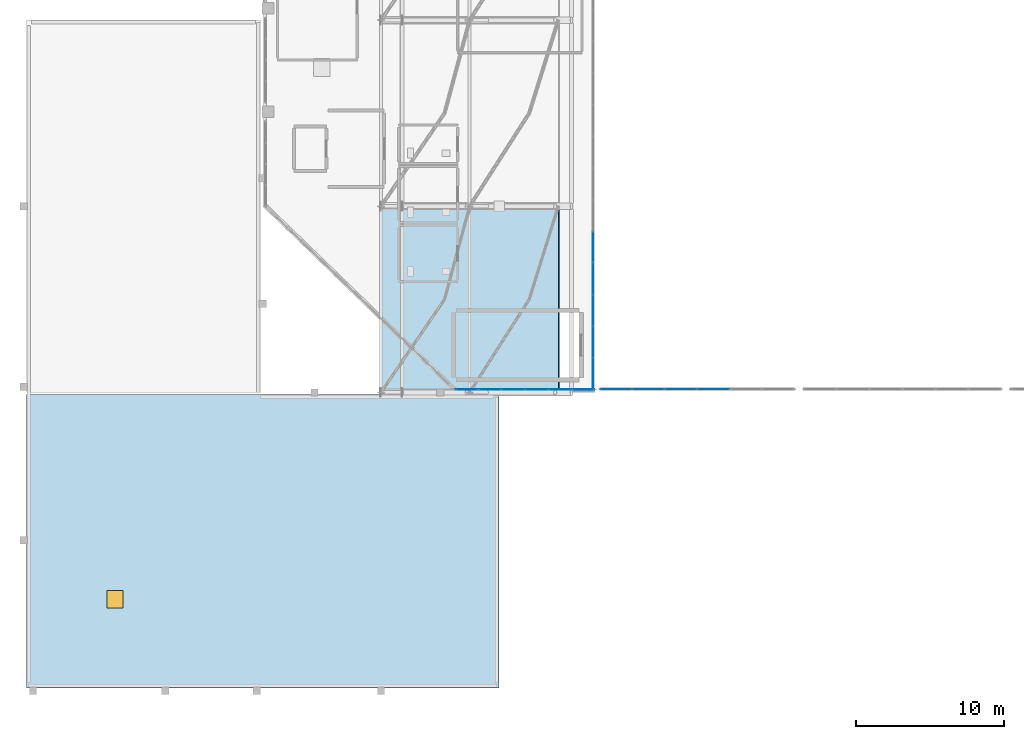
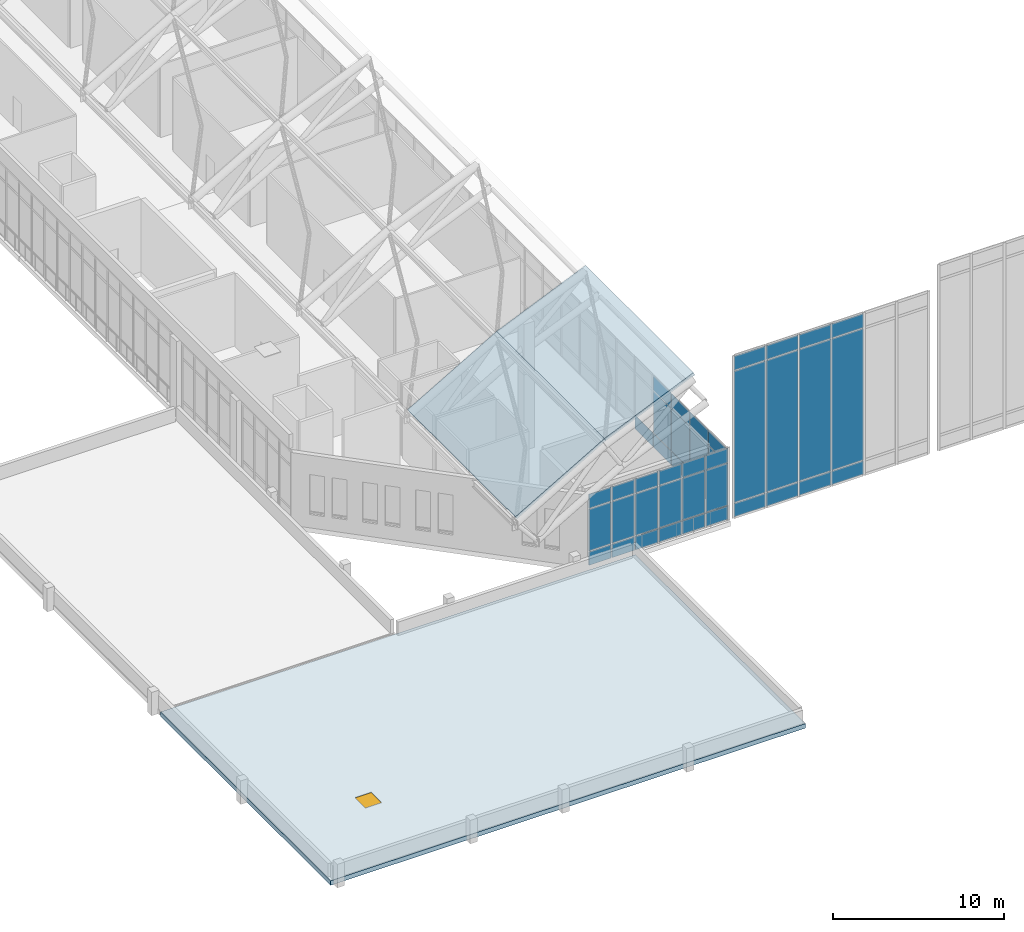
# One storey, part 23 of 42: 43 plates, 3 slabs, 1 door, 1 opening, 3 elements without a shape of their own.
"""IFC4 building model written with IfcOpenShell, lengths in metres."""

import ifcopenshell
import ifcopenshell.guid

model = None  # the IFC model being written
_history = None  # IfcOwnerHistory: only IFC2X3 demands one
_inside = {}  # id of a spatial element -> (the spatial element, [elements in it])
_under = {}  # id of a project, library or spatial element -> (it, [spatial elements below it])
_declared = {}  # id of a project -> (the project, [libraries it declares])
_typed = {}  # id of a type object -> (the type object, [elements of that type])
_made_of = {}  # id of a material, layer set ... -> (it, [elements and type objects made of it])


def new_model(schema):
    """Start an empty IFC model of exactly this schema.

    Asked for "IFC4X3", IfcOpenShell would pick the latest addendum, in which some entities
    have other attributes; the version numbers below select the first issue.
    IFC2X3 requires an IfcOwnerHistory on every rooted entity: one is made here for all.
    """
    global model, _history
    if schema == "IFC4X3":
        model = ifcopenshell.file(schema_version=(4, 3, 0, 0))
    else:
        model = ifcopenshell.file(schema=schema)
    _inside.clear()
    _under.clear()
    _declared.clear()
    _typed.clear()
    _made_of.clear()
    _history = None
    if model.schema == "IFC2X3":
        org = make("IfcOrganization", Name="unknown")
        user = make(
            "IfcPersonAndOrganization",
            ThePerson=make("IfcPerson", FamilyName="unknown"),
            TheOrganization=org,
        )
        app = make(
            "IfcApplication",
            ApplicationDeveloper=org,
            Version="unknown",
            ApplicationFullName="unknown",
            ApplicationIdentifier="unknown",
        )
        _history = make(
            "IfcOwnerHistory",
            OwningUser=user,
            OwningApplication=app,
            ChangeAction="ADDED",
            CreationDate=0,
        )
    return model


def make(cls, **values):
    """One entity of the class cls with the attributes given. An attribute that is None is left unset."""
    return model.create_entity(
        cls, **{name: value for name, value in values.items() if value is not None}
    )


def rooted(cls, **values):
    """An entity with a GlobalId (a new one), such as an element, a storey or a relation."""
    return make(cls, GlobalId=ifcopenshell.guid.new(), OwnerHistory=_history, **values)


def si_unit(unit_type, name, prefix=None):
    """IfcSIUnit, for example si_unit("LENGTHUNIT", "METRE", prefix="MILLI")."""
    return make("IfcSIUnit", UnitType=unit_type, Prefix=prefix, Name=name)


def derived_unit(unit_type, elements):
    """IfcDerivedUnit: a product of units, each with its exponent."""
    return make(
        "IfcDerivedUnit",
        Elements=[
            make("IfcDerivedUnitElement", Unit=unit, Exponent=power)
            for unit, power in elements
        ],
        UnitType=unit_type,
    )


def assignment(units):
    """IfcUnitAssignment: the units of a project."""
    return None if units is None else make("IfcUnitAssignment", Units=units)


def point(xyz):
    """IfcCartesianPoint."""
    return None if xyz is None else make("IfcCartesianPoint", Coordinates=xyz)


def direction(xyz):
    """IfcDirection."""
    return None if xyz is None else make("IfcDirection", DirectionRatios=xyz)


def frame(location, z_axis=None, x_axis=None):
    """IfcAxis2Placement3D, a coordinate frame: its origin and axes. An axis left out is left unset."""
    return make(
        "IfcAxis2Placement3D",
        Location=point(location),
        Axis=direction(z_axis),
        RefDirection=direction(x_axis),
    )


def frame_2d(location, x_axis=None):
    """IfcAxis2Placement2D, a coordinate frame in the plane: its origin and x axis."""
    return make(
        "IfcAxis2Placement2D", Location=point(location), RefDirection=direction(x_axis)
    )


def origin():
    """The frame at (0, 0, 0) with its axes left unset."""
    return frame((0.0, 0.0, 0.0))


def origin_2d():
    """The frame at (0, 0) in the plane with its x axis left unset."""
    return frame_2d((0.0, 0.0))


def place(relative_to, where):
    """IfcLocalPlacement: puts the frame where relative to a parent placement (None: the world)."""
    return make(
        "IfcLocalPlacement", PlacementRelTo=relative_to, RelativePlacement=where
    )


def context(
    kind, dimensions, precision=None, world=None, true_north=None, identifier=None
):
    """IfcGeometricRepresentationContext, for example the 3D "Model" context."""
    return make(
        "IfcGeometricRepresentationContext",
        ContextIdentifier=identifier,
        ContextType=kind,
        CoordinateSpaceDimension=dimensions,
        Precision=precision,
        WorldCoordinateSystem=world,
        TrueNorth=true_north,
    )


def subcontext(parent, identifier, kind, view, scale=None):
    """IfcGeometricRepresentationSubContext, for example "Body" below "Model"."""
    return make(
        "IfcGeometricRepresentationSubContext",
        ContextIdentifier=identifier,
        ContextType=kind,
        ParentContext=parent,
        TargetScale=scale,
        TargetView=view,
    )


def project(units=None, contexts=None):
    """IfcProject with its units and contexts."""
    return rooted(
        "IfcProject",
        Name="project",
        RepresentationContexts=contexts,
        UnitsInContext=assignment(units),
    )


def spatial(cls, under=None, at=None, **own):
    """A site, building, storey or space (cls), placed at a placement, below another one or the project."""
    s = rooted(cls, ObjectPlacement=at, **own)
    if under is not None:
        _under.setdefault(under.id(), (under, []))[1].append(s)
    return s


def polyline(points):
    """IfcPolyline through the points."""
    return make("IfcPolyline", Points=[point(p) for p in points])


def profile(cls, at=None, kind="AREA", **sizes):
    """A parametric profile (cls). Its sizes go by their IFC names, for example OverallWidth=200.0."""
    return make(cls, ProfileType=kind, Position=at, **sizes)


def rectangle(**sizes):
    """IfcRectangleProfileDef."""
    return profile("IfcRectangleProfileDef", **sizes)


def outline(outer, holes=None, kind="AREA"):
    """IfcArbitraryClosedProfileDef: a profile drawn as a closed curve; with holes, ...WithVoids."""
    if holes is None:
        return make("IfcArbitraryClosedProfileDef", ProfileType=kind, OuterCurve=outer)
    return make(
        "IfcArbitraryProfileDefWithVoids",
        ProfileType=kind,
        OuterCurve=outer,
        InnerCurves=holes,
    )


def extrude(swept, where, along, depth):
    """IfcExtrudedAreaSolid: the profile swept, set in the frame where, extruded along a direction by depth."""
    return make(
        "IfcExtrudedAreaSolid",
        SweptArea=swept,
        Position=where,
        ExtrudedDirection=direction(along),
        Depth=depth,
    )


def shape(context_of_items, identifier, shape_type, items):
    """IfcShapeRepresentation: the items that make up one representation, for example the "Body"."""
    return make(
        "IfcShapeRepresentation",
        ContextOfItems=context_of_items,
        RepresentationIdentifier=identifier,
        RepresentationType=shape_type,
        Items=items,
    )


def material(Name=None, Category=None):
    """IfcMaterial."""
    return make("IfcMaterial", Name=Name, Category=Category)


def layer(
    of_material, thickness, ventilated=None, Name=None, Category=None, Priority=None
):
    """IfcMaterialLayer: one layer of a wall or slab, of a material (None: an air gap)."""
    return make(
        "IfcMaterialLayer",
        Material=of_material,
        LayerThickness=thickness,
        IsVentilated=ventilated,
        Name=Name,
        Category=Category,
        Priority=Priority,
    )


def layer_set(layers, Name=None):
    """IfcMaterialLayerSet."""
    return make("IfcMaterialLayerSet", MaterialLayers=layers, LayerSetName=Name)


def made_of(thing, what):
    """Note that an element or type object is made of a material, layer set ...; save() writes the relation."""
    if what is not None:
        _made_of.setdefault(what.id(), (what, []))[1].append(thing)
    return thing


def type_object(cls, material=None, **own):
    """A type object (cls), such as IfcWallType, which elements share."""
    return made_of(rooted(cls, **own), material)


def element(
    cls,
    number,
    at=None,
    inside=None,
    cuts=None,
    type_object=None,
    material=None,
    context=None,
    identifier="Body",
    shape_type=None,
    held_by="IfcProductDefinitionShape",
    body=None,
    shapes=None,
    **own,
):
    """One element of the class cls, such as IfcWall. Its Tag is "e" and its number.

    at: its placement. inside: the storey or other place that contains it. cuts: it is an
    opening in that element (IfcRelVoidsElement). A single representation is given by context,
    identifier, shape_type and body (its items); several are given by shapes. held_by: the class
    of the entity that holds the representations. save() writes the other relations.
    """
    e = rooted(cls, Tag="e%d" % number, ObjectPlacement=at, **own)
    if body is not None:
        shapes = [shape(context, identifier, shape_type, body)]
    if shapes is not None:
        e.Representation = make(held_by, Representations=shapes)
    if inside is not None:
        _inside.setdefault(inside.id(), (inside, []))[1].append(e)
    if cuts is not None:
        rooted(
            "IfcRelVoidsElement", RelatingBuildingElement=cuts, RelatedOpeningElement=e
        )
    if type_object is not None:
        _typed.setdefault(type_object.id(), (type_object, []))[1].append(e)
    return made_of(e, material)


def fill(opening, filler):
    """IfcRelFillsElement: the door or window that sits in an opening."""
    return rooted(
        "IfcRelFillsElement",
        RelatingOpeningElement=opening,
        RelatedBuildingElement=filler,
    )


def aggregate(whole, parts):
    """IfcRelAggregates: a whole, such as a stair, and the parts it consists of."""
    return rooted("IfcRelAggregates", RelatingObject=whole, RelatedObjects=parts)


def save(model, path):
    """Write the relations noted so far, then the file.

    IfcRelAggregates (storeys below a building ...), IfcRelContainedInSpatialStructure (elements
    in a storey), IfcRelDefinesByType, IfcRelAssociatesMaterial and IfcRelDeclares: one each for
    every whole, place, type object, material and project.
    """
    for whole, parts in _under.values():
        aggregate(whole, parts)
    for where, things in _inside.values():
        rooted(
            "IfcRelContainedInSpatialStructure",
            RelatedElements=things,
            RelatingStructure=where,
        )
    for kind, things in _typed.values():
        rooted("IfcRelDefinesByType", RelatedObjects=things, RelatingType=kind)
    for what, things in _made_of.values():
        rooted("IfcRelAssociatesMaterial", RelatedObjects=things, RelatingMaterial=what)
    for by, libraries in _declared.values():
        rooted("IfcRelDeclares", RelatingContext=by, RelatedDefinitions=libraries)
    model.write(path)


model = new_model("IFC4")

# Units and contexts
model_context = context("Model", 3, precision=1e-05, world=origin(), true_north=direction((0.0, 1.0)))
body_context = subcontext(model_context, "Body", "Model", "MODEL_VIEW")
ifc_project = project(units=[si_unit("LENGTHUNIT", "METRE"), si_unit("AREAUNIT", "SQUARE_METRE"), si_unit("VOLUMEUNIT", "CUBIC_METRE"), si_unit("PLANEANGLEUNIT", "RADIAN"), si_unit("MASSUNIT", "GRAM", prefix="KILO"), derived_unit("THERMALTRANSMITTANCEUNIT", [(si_unit("MASSUNIT", "GRAM", prefix="KILO"), 1), (si_unit("TIMEUNIT", "SECOND"), -3), (si_unit("THERMODYNAMICTEMPERATUREUNIT", "KELVIN"), -1)])], contexts=[model_context])

# Site, building, storey
site_placement = place(None, origin())
site = spatial("IfcSite", under=ifc_project, at=site_placement, CompositionType="ELEMENT")
building_placement = place(site_placement, origin())
building = spatial("IfcBuilding", under=site, at=building_placement, Name="Valcora Ridge Arena", CompositionType="ELEMENT")
storey_placement = place(building_placement, frame((0.0, 0.0, 26.39990234375)))
storey = spatial("IfcBuildingStorey", under=building, at=storey_placement, Name="L05", CompositionType="ELEMENT", Elevation=26.39990234375)

# Curtain wall, plates
ifc_material_1 = material(Name="Anodised dark bronze architectural aluminium 6063-T6", Category="aluminium")
ifc_layer_1 = layer(ifc_material_1, 0.179931640625, Name="Anodised dark bronze architectural aluminium 6063-T6")
ifc_layer_set_1 = layer_set([ifc_layer_1], Name="Anodised dark bronze architectural aluminium 6063-T6")
curtain_wall_type_1 = type_object("IfcCurtainWallType", Name="TY-CURTAINWALL-CW-V1-GOTH-095X52", PredefinedType="NOTDEFINED", material=ifc_layer_set_1)
curtain_wall_1_placement = place(storey_placement, origin())
curtain_wall_1 = element("IfcCurtainWall", 1, at=curtain_wall_1_placement, inside=storey, type_object=curtain_wall_type_1, Name="CW-V1-GOTH-095X52 CW-0169", PredefinedType="NOTDEFINED")
ifc_material_2 = material(Name="Low-iron solar-control double glazing SHGC 0.28", Category="glass")
ifc_layer_2 = layer(ifc_material_2, 0.031982421875, Name="Low-iron solar-control double glazing SHGC 0.28")
ifc_layer_set_2 = layer_set([ifc_layer_2], Name="Low-iron solar-control double glazing SHGC 0.28")
plate_type_1 = type_object("IfcPlateType", Name="TY-PLT-CWP-1493X0960", PredefinedType="CURTAIN_PANEL", material=ifc_layer_set_2)
plate_1_placement = place(storey_placement, frame((29.806396484375, 20.199951171875, 0.06005859375), z_axis=(0.0, 0.0, 1.0), x_axis=(1.0, 0.0, 0.0)))
plate_1 = element("IfcPlate", 2, at=plate_1_placement, type_object=plate_type_1, Name="CW-0169/P00-00", PredefinedType="CURTAIN_PANEL", context=body_context, shape_type="SweptSolid", body=[
    extrude(rectangle(XDim=1.492919921875, YDim=0.031982421875, at=origin_2d()), origin(), (0.0, 0.0, 1.0), 0.9599609375),
])
plate_2_placement = place(storey_placement, frame((37.693603515625, 20.199951171875, 0.06005859375), z_axis=(0.0, 0.0, 1.0), x_axis=(1.0, 0.0, 0.0)))
plate_2 = element("IfcPlate", 3, at=plate_2_placement, type_object=plate_type_1, Name="CW-0169/P05-00", PredefinedType="CURTAIN_PANEL", context=body_context, shape_type="SweptSolid", body=[
    extrude(rectangle(XDim=1.492919921875, YDim=0.031982421875, at=origin_2d()), origin(), (0.0, 0.0, 1.0), 0.9599609375),
])
ifc_layer_3 = layer(ifc_material_2, 0.031982421875, Name="Low-iron solar-control double glazing SHGC 0.28")
ifc_layer_set_3 = layer_set([ifc_layer_3], Name="Low-iron solar-control double glazing SHGC 0.28")
plate_type_2 = type_object("IfcPlateType", Name="TY-PLT-CWP-1493X1010", PredefinedType="CURTAIN_PANEL", material=ifc_layer_set_3)
plate_3_placement = place(storey_placement, frame((29.806396484375, 20.199951171875, 4.10986328125), z_axis=(0.0, 0.0, 1.0), x_axis=(1.0, 0.0, 0.0)))
plate_3 = element("IfcPlate", 4, at=plate_3_placement, type_object=plate_type_2, Name="CW-0169/P00-02", PredefinedType="CURTAIN_PANEL", context=body_context, shape_type="SweptSolid", body=[
    extrude(rectangle(XDim=1.492919921875, YDim=0.031982421875, at=origin_2d()), origin(), (0.0, 0.0, 1.0), 1.010009765625),
])
plate_4_placement = place(storey_placement, frame((37.693603515625, 20.199951171875, 4.10986328125), z_axis=(0.0, 0.0, 1.0), x_axis=(1.0, 0.0, 0.0)))
plate_4 = element("IfcPlate", 5, at=plate_4_placement, type_object=plate_type_2, Name="CW-0169/P05-02", PredefinedType="CURTAIN_PANEL", context=body_context, shape_type="SweptSolid", body=[
    extrude(rectangle(XDim=1.492919921875, YDim=0.031982421875, at=origin_2d()), origin(), (0.0, 0.0, 1.0), 1.010009765625),
])
ifc_layer_4 = layer(ifc_material_2, 0.031982421875, Name="Low-iron solar-control double glazing SHGC 0.28")
ifc_layer_set_4 = layer_set([ifc_layer_4], Name="Low-iron solar-control double glazing SHGC 0.28")
plate_type_3 = type_object("IfcPlateType", Name="TY-PLT-CWP-1493X2970", PredefinedType="CURTAIN_PANEL", material=ifc_layer_set_4)
plate_5_placement = place(storey_placement, frame((29.806396484375, 20.199951171875, 1.080078125), z_axis=(0.0, 0.0, 1.0), x_axis=(1.0, 0.0, 0.0)))
plate_5 = element("IfcPlate", 6, at=plate_5_placement, type_object=plate_type_3, Name="CW-0169/P00-01", PredefinedType="CURTAIN_PANEL", context=body_context, shape_type="SweptSolid", body=[
    extrude(rectangle(XDim=1.492919921875, YDim=0.031982421875, at=origin_2d()), origin(), (0.0, 0.0, 1.0), 2.969970703125),
])
plate_6_placement = place(storey_placement, frame((37.693603515625, 20.199951171875, 1.080078125), z_axis=(0.0, 0.0, 1.0), x_axis=(1.0, 0.0, 0.0)))
plate_6 = element("IfcPlate", 7, at=plate_6_placement, type_object=plate_type_3, Name="CW-0169/P05-01", PredefinedType="CURTAIN_PANEL", context=body_context, shape_type="SweptSolid", body=[
    extrude(rectangle(XDim=1.492919921875, YDim=0.031982421875, at=origin_2d()), origin(), (0.0, 0.0, 1.0), 2.969970703125),
])
ifc_layer_5 = layer(ifc_material_2, 0.031982421875, Name="Low-iron solar-control double glazing SHGC 0.28")
ifc_layer_set_5 = layer_set([ifc_layer_5], Name="Low-iron solar-control double glazing SHGC 0.28")
plate_type_4 = type_object("IfcPlateType", Name="TY-PLT-CWP-1523X0960", PredefinedType="CURTAIN_PANEL", material=ifc_layer_set_5)
plate_7_placement = place(storey_placement, frame((32.95849609375, 20.199951171875, 0.06005859375), z_axis=(0.0, 0.0, 1.0), x_axis=(1.0, 0.0, 0.0)))
plate_7 = element("IfcPlate", 8, at=plate_7_placement, type_object=plate_type_4, Name="CW-0169/P02-00", PredefinedType="CURTAIN_PANEL", context=body_context, shape_type="SweptSolid", body=[
    extrude(rectangle(XDim=1.52294921875, YDim=0.031982421875, at=origin_2d()), origin(), (0.0, 0.0, 1.0), 0.9599609375),
])
plate_8_placement = place(storey_placement, frame((34.54150390625, 20.199951171875, 0.06005859375), z_axis=(0.0, 0.0, 1.0), x_axis=(1.0, 0.0, 0.0)))
plate_8 = element("IfcPlate", 9, at=plate_8_placement, type_object=plate_type_4, Name="CW-0169/P03-00", PredefinedType="CURTAIN_PANEL", context=body_context, shape_type="SweptSolid", body=[
    extrude(rectangle(XDim=1.52294921875, YDim=0.031982421875, at=origin_2d()), origin(), (0.0, 0.0, 1.0), 0.9599609375),
])
ifc_layer_6 = layer(ifc_material_2, 0.031982421875, Name="Low-iron solar-control double glazing SHGC 0.28")
ifc_layer_set_6 = layer_set([ifc_layer_6], Name="Low-iron solar-control double glazing SHGC 0.28")
plate_type_5 = type_object("IfcPlateType", Name="TY-PLT-CWP-1523X1010", PredefinedType="CURTAIN_PANEL", material=ifc_layer_set_6)
plate_9_placement = place(storey_placement, frame((32.95849609375, 20.199951171875, 4.10986328125), z_axis=(0.0, 0.0, 1.0), x_axis=(1.0, 0.0, 0.0)))
plate_9 = element("IfcPlate", 10, at=plate_9_placement, type_object=plate_type_5, Name="CW-0169/P02-02", PredefinedType="CURTAIN_PANEL", context=body_context, shape_type="SweptSolid", body=[
    extrude(rectangle(XDim=1.52294921875, YDim=0.031982421875, at=origin_2d()), origin(), (0.0, 0.0, 1.0), 1.010009765625),
])
plate_10_placement = place(storey_placement, frame((34.54150390625, 20.199951171875, 4.10986328125), z_axis=(0.0, 0.0, 1.0), x_axis=(1.0, 0.0, 0.0)))
plate_10 = element("IfcPlate", 11, at=plate_10_placement, type_object=plate_type_5, Name="CW-0169/P03-02", PredefinedType="CURTAIN_PANEL", context=body_context, shape_type="SweptSolid", body=[
    extrude(rectangle(XDim=1.52294921875, YDim=0.031982421875, at=origin_2d()), origin(), (0.0, 0.0, 1.0), 1.010009765625),
])
ifc_layer_7 = layer(ifc_material_2, 0.031982421875, Name="Low-iron solar-control double glazing SHGC 0.28")
ifc_layer_set_7 = layer_set([ifc_layer_7], Name="Low-iron solar-control double glazing SHGC 0.28")
plate_type_6 = type_object("IfcPlateType", Name="TY-PLT-CWP-1523X2970", PredefinedType="CURTAIN_PANEL", material=ifc_layer_set_7)
plate_11_placement = place(storey_placement, frame((32.95849609375, 20.199951171875, 1.080078125), z_axis=(0.0, 0.0, 1.0), x_axis=(1.0, 0.0, 0.0)))
plate_11 = element("IfcPlate", 12, at=plate_11_placement, type_object=plate_type_6, Name="CW-0169/P02-01", PredefinedType="CURTAIN_PANEL", context=body_context, shape_type="SweptSolid", body=[
    extrude(rectangle(XDim=1.52294921875, YDim=0.031982421875, at=origin_2d()), origin(), (0.0, 0.0, 1.0), 2.969970703125),
])
plate_12_placement = place(storey_placement, frame((34.54150390625, 20.199951171875, 1.080078125), z_axis=(0.0, 0.0, 1.0), x_axis=(1.0, 0.0, 0.0)))
plate_12 = element("IfcPlate", 13, at=plate_12_placement, type_object=plate_type_6, Name="CW-0169/P03-01", PredefinedType="CURTAIN_PANEL", context=body_context, shape_type="SweptSolid", body=[
    extrude(rectangle(XDim=1.52294921875, YDim=0.031982421875, at=origin_2d()), origin(), (0.0, 0.0, 1.0), 2.969970703125),
])
ifc_layer_8 = layer(ifc_material_2, 0.031982421875, Name="Low-iron solar-control double glazing SHGC 0.28")
ifc_layer_set_8 = layer_set([ifc_layer_8], Name="Low-iron solar-control double glazing SHGC 0.28")
plate_type_7 = type_object("IfcPlateType", Name="TY-PLT-CWP-1524X0960", PredefinedType="CURTAIN_PANEL", material=ifc_layer_set_8)
plate_13_placement = place(storey_placement, frame((31.375, 20.199951171875, 0.06005859375), z_axis=(0.0, 0.0, 1.0), x_axis=(1.0, 0.0, 0.0)))
plate_13 = element("IfcPlate", 14, at=plate_13_placement, type_object=plate_type_7, Name="CW-0169/P01-00", PredefinedType="CURTAIN_PANEL", context=body_context, shape_type="SweptSolid", body=[
    extrude(rectangle(XDim=1.52392578125, YDim=0.031982421875, at=origin_2d()), origin(), (0.0, 0.0, 1.0), 0.9599609375),
])
plate_14_placement = place(storey_placement, frame((36.125, 20.199951171875, 0.06005859375), z_axis=(0.0, 0.0, 1.0), x_axis=(1.0, 0.0, 0.0)))
plate_14 = element("IfcPlate", 15, at=plate_14_placement, type_object=plate_type_7, Name="CW-0169/P04-00", PredefinedType="CURTAIN_PANEL", context=body_context, shape_type="SweptSolid", body=[
    extrude(rectangle(XDim=1.52392578125, YDim=0.031982421875, at=origin_2d()), origin(), (0.0, 0.0, 1.0), 0.9599609375),
])
ifc_layer_9 = layer(ifc_material_2, 0.031982421875, Name="Low-iron solar-control double glazing SHGC 0.28")
ifc_layer_set_9 = layer_set([ifc_layer_9], Name="Low-iron solar-control double glazing SHGC 0.28")
plate_type_8 = type_object("IfcPlateType", Name="TY-PLT-CWP-1524X1010", PredefinedType="CURTAIN_PANEL", material=ifc_layer_set_9)
plate_15_placement = place(storey_placement, frame((31.375, 20.199951171875, 4.10986328125), z_axis=(0.0, 0.0, 1.0), x_axis=(1.0, 0.0, 0.0)))
plate_15 = element("IfcPlate", 16, at=plate_15_placement, type_object=plate_type_8, Name="CW-0169/P01-02", PredefinedType="CURTAIN_PANEL", context=body_context, shape_type="SweptSolid", body=[
    extrude(rectangle(XDim=1.52392578125, YDim=0.031982421875, at=origin_2d()), origin(), (0.0, 0.0, 1.0), 1.010009765625),
])
plate_16_placement = place(storey_placement, frame((36.125, 20.199951171875, 4.10986328125), z_axis=(0.0, 0.0, 1.0), x_axis=(1.0, 0.0, 0.0)))
plate_16 = element("IfcPlate", 17, at=plate_16_placement, type_object=plate_type_8, Name="CW-0169/P04-02", PredefinedType="CURTAIN_PANEL", context=body_context, shape_type="SweptSolid", body=[
    extrude(rectangle(XDim=1.52392578125, YDim=0.031982421875, at=origin_2d()), origin(), (0.0, 0.0, 1.0), 1.010009765625),
])
ifc_layer_10 = layer(ifc_material_2, 0.031982421875, Name="Low-iron solar-control double glazing SHGC 0.28")
ifc_layer_set_10 = layer_set([ifc_layer_10], Name="Low-iron solar-control double glazing SHGC 0.28")
plate_type_9 = type_object("IfcPlateType", Name="TY-PLT-CWP-1524X2970", PredefinedType="CURTAIN_PANEL", material=ifc_layer_set_10)
plate_17_placement = place(storey_placement, frame((31.375, 20.199951171875, 1.080078125), z_axis=(0.0, 0.0, 1.0), x_axis=(1.0, 0.0, 0.0)))
plate_17 = element("IfcPlate", 18, at=plate_17_placement, type_object=plate_type_9, Name="CW-0169/P01-01", PredefinedType="CURTAIN_PANEL", context=body_context, shape_type="SweptSolid", body=[
    extrude(rectangle(XDim=1.52392578125, YDim=0.031982421875, at=origin_2d()), origin(), (0.0, 0.0, 1.0), 2.969970703125),
])
plate_18_placement = place(storey_placement, frame((36.125, 20.199951171875, 1.080078125), z_axis=(0.0, 0.0, 1.0), x_axis=(1.0, 0.0, 0.0)))
plate_18 = element("IfcPlate", 19, at=plate_18_placement, type_object=plate_type_9, Name="CW-0169/P04-01", PredefinedType="CURTAIN_PANEL", context=body_context, shape_type="SweptSolid", body=[
    extrude(rectangle(XDim=1.52392578125, YDim=0.031982421875, at=origin_2d()), origin(), (0.0, 0.0, 1.0), 2.969970703125),
])
aggregate(curtain_wall_1, [plate_1, plate_5, plate_3, plate_13, plate_17, plate_15, plate_7, plate_11, plate_9, plate_8, plate_12, plate_10, plate_14, plate_18, plate_16, plate_2, plate_6, plate_4])

ifc_layer_11 = layer(ifc_material_1, 0.14990234375, Name="Anodised dark bronze architectural aluminium 6063-T6")
ifc_layer_set_11 = layer_set([ifc_layer_11], Name="Anodised dark bronze architectural aluminium 6063-T6")
curtain_wall_type_2 = type_object("IfcCurtainWallType", Name="TY-CURTAINWALL-CW-V1-SKY-878X52", PredefinedType="NOTDEFINED", material=ifc_layer_set_11)
curtain_wall_2_placement = place(storey_placement, origin())
curtain_wall_2 = element("IfcCurtainWall", 20, at=curtain_wall_2_placement, inside=storey, type_object=curtain_wall_type_2, Name="CW-V1-SKY-878X52 CW-0171", PredefinedType="NOTDEFINED")
ifc_layer_12 = layer(ifc_material_2, 0.028076171875, Name="Low-iron solar-control double glazing SHGC 0.28")
ifc_layer_set_12 = layer_set([ifc_layer_12], Name="Low-iron solar-control double glazing SHGC 0.28")
plate_type_10 = type_object("IfcPlateType", Name="TY-PLT-CWP-2066X0975", PredefinedType="CURTAIN_PANEL", material=ifc_layer_set_12)
plate_19_placement = place(storey_placement, frame((38.35009765625, 21.282958984375, 0.050048828125), z_axis=(0.0, 0.0, 1.0), x_axis=(0.0, 1.0, 0.0)))
plate_19 = element("IfcPlate", 21, at=plate_19_placement, type_object=plate_type_10, Name="CW-0171/P00-00", PredefinedType="CURTAIN_PANEL", context=body_context, shape_type="SweptSolid", body=[
    extrude(rectangle(XDim=2.06591796875, YDim=0.028076171875, at=origin_2d()), origin(), (0.0, 0.0, 1.0), 0.97509765625),
])
ifc_layer_13 = layer(ifc_material_2, 0.028076171875, Name="Low-iron solar-control double glazing SHGC 0.28")
ifc_layer_set_13 = layer_set([ifc_layer_13], Name="Low-iron solar-control double glazing SHGC 0.28")
plate_type_11 = type_object("IfcPlateType", Name="TY-PLT-CWP-2066X1025", PredefinedType="CURTAIN_PANEL", material=ifc_layer_set_13)
plate_20_placement = place(storey_placement, frame((38.35009765625, 21.282958984375, 4.105224609375), z_axis=(0.0, 0.0, 1.0), x_axis=(0.0, 1.0, 0.0)))
plate_20 = element("IfcPlate", 22, at=plate_20_placement, type_object=plate_type_11, Name="CW-0171/P00-02", PredefinedType="CURTAIN_PANEL", context=body_context, shape_type="SweptSolid", body=[
    extrude(rectangle(XDim=2.06591796875, YDim=0.028076171875, at=origin_2d()), origin(), (0.0, 0.0, 1.0), 1.02490234375),
])
ifc_layer_14 = layer(ifc_material_2, 0.028076171875, Name="Low-iron solar-control double glazing SHGC 0.28")
ifc_layer_set_14 = layer_set([ifc_layer_14], Name="Low-iron solar-control double glazing SHGC 0.28")
plate_type_12 = type_object("IfcPlateType", Name="TY-PLT-CWP-2066X2980", PredefinedType="CURTAIN_PANEL", material=ifc_layer_set_14)
plate_21_placement = place(storey_placement, frame((38.35009765625, 21.282958984375, 1.0751953125), z_axis=(0.0, 0.0, 1.0), x_axis=(0.0, 1.0, 0.0)))
plate_21 = element("IfcPlate", 23, at=plate_21_placement, type_object=plate_type_12, Name="CW-0171/P00-01", PredefinedType="CURTAIN_PANEL", context=body_context, shape_type="SweptSolid", body=[
    extrude(rectangle(XDim=2.06591796875, YDim=0.028076171875, at=origin_2d()), origin(), (0.0, 0.0, 1.0), 2.97998046875),
])
ifc_layer_15 = layer(ifc_material_2, 0.028076171875, Name="Low-iron solar-control double glazing SHGC 0.28")
ifc_layer_set_15 = layer_set([ifc_layer_15], Name="Low-iron solar-control double glazing SHGC 0.28")
plate_type_13 = type_object("IfcPlateType", Name="TY-PLT-CWP-2091X0975", PredefinedType="CURTAIN_PANEL", material=ifc_layer_set_15)
plate_22_placement = place(storey_placement, frame((38.35009765625, 25.553466796875, 0.050048828125), z_axis=(0.0, 0.0, 1.0), x_axis=(0.0, 1.0, 0.0)))
plate_22 = element("IfcPlate", 24, at=plate_22_placement, type_object=plate_type_13, Name="CW-0171/P02-00", PredefinedType="CURTAIN_PANEL", context=body_context, shape_type="SweptSolid", body=[
    extrude(rectangle(XDim=2.091064453125, YDim=0.028076171875, at=origin_2d()), origin(), (0.0, 0.0, 1.0), 0.97509765625),
])
plate_23_placement = place(storey_placement, frame((38.35009765625, 29.83642578125, 0.050048828125), z_axis=(0.0, 0.0, 1.0), x_axis=(0.0, 1.0, 0.0)))
plate_23 = element("IfcPlate", 25, at=plate_23_placement, type_object=plate_type_13, Name="CW-0171/P04-00", PredefinedType="CURTAIN_PANEL", context=body_context, shape_type="SweptSolid", body=[
    extrude(rectangle(XDim=2.091064453125, YDim=0.028076171875, at=origin_2d()), origin(), (0.0, 0.0, 1.0), 0.97509765625),
])
ifc_layer_16 = layer(ifc_material_2, 0.028076171875, Name="Low-iron solar-control double glazing SHGC 0.28")
ifc_layer_set_16 = layer_set([ifc_layer_16], Name="Low-iron solar-control double glazing SHGC 0.28")
plate_type_14 = type_object("IfcPlateType", Name="TY-PLT-CWP-2091X1025", PredefinedType="CURTAIN_PANEL", material=ifc_layer_set_16)
plate_24_placement = place(storey_placement, frame((38.35009765625, 25.553466796875, 4.105224609375), z_axis=(0.0, 0.0, 1.0), x_axis=(0.0, 1.0, 0.0)))
plate_24 = element("IfcPlate", 26, at=plate_24_placement, type_object=plate_type_14, Name="CW-0171/P02-02", PredefinedType="CURTAIN_PANEL", context=body_context, shape_type="SweptSolid", body=[
    extrude(rectangle(XDim=2.091064453125, YDim=0.028076171875, at=origin_2d()), origin(), (0.0, 0.0, 1.0), 1.02490234375),
])
ifc_layer_17 = layer(ifc_material_2, 0.028076171875, Name="Low-iron solar-control double glazing SHGC 0.28")
ifc_layer_set_17 = layer_set([ifc_layer_17], Name="Low-iron solar-control double glazing SHGC 0.28")
plate_type_15 = type_object("IfcPlateType", Name="TY-PLT-CWP-2091X2980", PredefinedType="CURTAIN_PANEL", material=ifc_layer_set_17)
plate_25_placement = place(storey_placement, frame((38.35009765625, 25.553466796875, 1.0751953125), z_axis=(0.0, 0.0, 1.0), x_axis=(0.0, 1.0, 0.0)))
plate_25 = element("IfcPlate", 27, at=plate_25_placement, type_object=plate_type_15, Name="CW-0171/P02-01", PredefinedType="CURTAIN_PANEL", context=body_context, shape_type="SweptSolid", body=[
    extrude(rectangle(XDim=2.091064453125, YDim=0.028076171875, at=origin_2d()), origin(), (0.0, 0.0, 1.0), 2.97998046875),
])
ifc_layer_18 = layer(ifc_material_2, 0.028076171875, Name="Low-iron solar-control double glazing SHGC 0.28")
ifc_layer_set_18 = layer_set([ifc_layer_18], Name="Low-iron solar-control double glazing SHGC 0.28")
plate_type_16 = type_object("IfcPlateType", Name="TY-PLT-CWP-2092X0975", PredefinedType="CURTAIN_PANEL", material=ifc_layer_set_18)
plate_26_placement = place(storey_placement, frame((38.35009765625, 23.412109375, 0.050048828125), z_axis=(0.0, 0.0, 1.0), x_axis=(0.0, 1.0, 0.0)))
plate_26 = element("IfcPlate", 28, at=plate_26_placement, type_object=plate_type_16, Name="CW-0171/P01-00", PredefinedType="CURTAIN_PANEL", context=body_context, shape_type="SweptSolid", body=[
    extrude(rectangle(XDim=2.092041015625, YDim=0.028076171875, at=origin_2d()), origin(), (0.0, 0.0, 1.0), 0.97509765625),
])
plate_27_placement = place(storey_placement, frame((38.35009765625, 27.695068359375, 0.050048828125), z_axis=(0.0, 0.0, 1.0), x_axis=(0.0, 1.0, 0.0)))
plate_27 = element("IfcPlate", 29, at=plate_27_placement, type_object=plate_type_16, Name="CW-0171/P03-00", PredefinedType="CURTAIN_PANEL", context=body_context, shape_type="SweptSolid", body=[
    extrude(rectangle(XDim=2.092041015625, YDim=0.028076171875, at=origin_2d()), origin(), (0.0, 0.0, 1.0), 0.97509765625),
])
ifc_layer_19 = layer(ifc_material_2, 0.028076171875, Name="Low-iron solar-control double glazing SHGC 0.28")
ifc_layer_set_19 = layer_set([ifc_layer_19], Name="Low-iron solar-control double glazing SHGC 0.28")
plate_type_17 = type_object("IfcPlateType", Name="TY-PLT-CWP-2092X1025", PredefinedType="CURTAIN_PANEL", material=ifc_layer_set_19)
plate_28_placement = place(storey_placement, frame((38.35009765625, 23.412109375, 4.105224609375), z_axis=(0.0, 0.0, 1.0), x_axis=(0.0, 1.0, 0.0)))
plate_28 = element("IfcPlate", 30, at=plate_28_placement, type_object=plate_type_17, Name="CW-0171/P01-02", PredefinedType="CURTAIN_PANEL", context=body_context, shape_type="SweptSolid", body=[
    extrude(rectangle(XDim=2.092041015625, YDim=0.028076171875, at=origin_2d()), origin(), (0.0, 0.0, 1.0), 1.02490234375),
])
plate_29_placement = place(storey_placement, frame((38.35009765625, 27.695068359375, 4.105224609375), z_axis=(0.0, 0.0, 1.0), x_axis=(0.0, 1.0, 0.0)))
plate_29 = element("IfcPlate", 31, at=plate_29_placement, type_object=plate_type_17, Name="CW-0171/P03-02", PredefinedType="CURTAIN_PANEL", context=body_context, shape_type="SweptSolid", body=[
    extrude(rectangle(XDim=2.092041015625, YDim=0.028076171875, at=origin_2d()), origin(), (0.0, 0.0, 1.0), 1.02490234375),
])
ifc_layer_20 = layer(ifc_material_2, 0.028076171875, Name="Low-iron solar-control double glazing SHGC 0.28")
ifc_layer_set_20 = layer_set([ifc_layer_20], Name="Low-iron solar-control double glazing SHGC 0.28")
plate_type_18 = type_object("IfcPlateType", Name="TY-PLT-CWP-2092X2980", PredefinedType="CURTAIN_PANEL", material=ifc_layer_set_20)
plate_30_placement = place(storey_placement, frame((38.35009765625, 23.412109375, 1.0751953125), z_axis=(0.0, 0.0, 1.0), x_axis=(0.0, 1.0, 0.0)))
plate_30 = element("IfcPlate", 32, at=plate_30_placement, type_object=plate_type_18, Name="CW-0171/P01-01", PredefinedType="CURTAIN_PANEL", context=body_context, shape_type="SweptSolid", body=[
    extrude(rectangle(XDim=2.092041015625, YDim=0.028076171875, at=origin_2d()), origin(), (0.0, 0.0, 1.0), 2.97998046875),
])
plate_31_placement = place(storey_placement, frame((38.35009765625, 27.695068359375, 1.0751953125), z_axis=(0.0, 0.0, 1.0), x_axis=(0.0, 1.0, 0.0)))
plate_31 = element("IfcPlate", 33, at=plate_31_placement, type_object=plate_type_18, Name="CW-0171/P03-01", PredefinedType="CURTAIN_PANEL", context=body_context, shape_type="SweptSolid", body=[
    extrude(rectangle(XDim=2.092041015625, YDim=0.028076171875, at=origin_2d()), origin(), (0.0, 0.0, 1.0), 2.97998046875),
])
aggregate(curtain_wall_2, [plate_19, plate_21, plate_20, plate_26, plate_30, plate_28, plate_22, plate_25, plate_24, plate_27, plate_31, plate_29, plate_23])

ifc_layer_21 = layer(ifc_material_1, 0.179931640625, Name="Anodised dark bronze architectural aluminium 6063-T6")
ifc_layer_set_21 = layer_set([ifc_layer_21], Name="Anodised dark bronze architectural aluminium 6063-T6")
curtain_wall_type_3 = type_object("IfcCurtainWallType", Name="TY-CURTAINWALL-CW-V1-TYMPS-132X116", PredefinedType="NOTDEFINED", material=ifc_layer_set_21)
curtain_wall_3_placement = place(storey_placement, origin())
curtain_wall_3 = element("IfcCurtainWall", 34, at=curtain_wall_3_placement, inside=storey, type_object=curtain_wall_type_3, Name="CW-V1-TYMPS-132X116 CW-0172", PredefinedType="NOTDEFINED")
ifc_layer_22 = layer(ifc_material_2, 0.031982421875, Name="Low-iron solar-control double glazing SHGC 0.28")
ifc_layer_set_22 = layer_set([ifc_layer_22], Name="Low-iron solar-control double glazing SHGC 0.28")
plate_type_19 = type_object("IfcPlateType", Name="TY-PLT-CWP-2110X0960", PredefinedType="CURTAIN_PANEL", material=ifc_layer_set_22)
plate_32_placement = place(storey_placement, frame((39.9150390625, 20.219970703125, 0.06005859375), z_axis=(0.0, 0.0, 1.0), x_axis=(1.0, 0.0, 0.0)))
plate_32 = element("IfcPlate", 35, at=plate_32_placement, type_object=plate_type_19, Name="CW-0172/P00-00", PredefinedType="CURTAIN_PANEL", context=body_context, shape_type="SweptSolid", body=[
    extrude(rectangle(XDim=2.110107421875, YDim=0.031982421875, at=origin_2d()), origin(), (0.0, 0.0, 1.0), 0.9599609375),
])
ifc_layer_23 = layer(ifc_material_2, 0.031982421875, Name="Low-iron solar-control double glazing SHGC 0.28")
ifc_layer_set_23 = layer_set([ifc_layer_23], Name="Low-iron solar-control double glazing SHGC 0.28")
plate_type_20 = type_object("IfcPlateType", Name="TY-PLT-CWP-2110X1010", PredefinedType="CURTAIN_PANEL", material=ifc_layer_set_23)
plate_33_placement = place(storey_placement, frame((39.9150390625, 20.219970703125, 10.50732421875), z_axis=(0.0, 0.0, 1.0), x_axis=(1.0, 0.0, 0.0)))
plate_33 = element("IfcPlate", 36, at=plate_33_placement, type_object=plate_type_20, Name="CW-0172/P00-02", PredefinedType="CURTAIN_PANEL", context=body_context, shape_type="SweptSolid", body=[
    extrude(rectangle(XDim=2.110107421875, YDim=0.031982421875, at=origin_2d()), origin(), (0.0, 0.0, 1.0), 1.010009765625),
])
ifc_layer_24 = layer(ifc_material_2, 0.031982421875, Name="Low-iron solar-control double glazing SHGC 0.28")
ifc_layer_set_24 = layer_set([ifc_layer_24], Name="Low-iron solar-control double glazing SHGC 0.28")
plate_type_21 = type_object("IfcPlateType", Name="TY-PLT-CWP-2110X9367", PredefinedType="CURTAIN_PANEL", material=ifc_layer_set_24)
plate_34_placement = place(storey_placement, frame((39.9150390625, 20.219970703125, 1.080078125), z_axis=(0.0, 0.0, 1.0), x_axis=(1.0, 0.0, 0.0)))
plate_34 = element("IfcPlate", 37, at=plate_34_placement, type_object=plate_type_21, Name="CW-0172/P00-01", PredefinedType="CURTAIN_PANEL", context=body_context, shape_type="SweptSolid", body=[
    extrude(rectangle(XDim=2.110107421875, YDim=0.031982421875, at=origin_2d()), origin(), (0.0, 0.0, 1.0), 9.366943359375),
])
ifc_layer_25 = layer(ifc_material_2, 0.031982421875, Name="Low-iron solar-control double glazing SHGC 0.28")
ifc_layer_set_25 = layer_set([ifc_layer_25], Name="Low-iron solar-control double glazing SHGC 0.28")
plate_type_22 = type_object("IfcPlateType", Name="TY-PLT-CWP-2140X0960", PredefinedType="CURTAIN_PANEL", material=ifc_layer_set_25)
plate_35_placement = place(storey_placement, frame((42.10009765625, 20.219970703125, 0.06005859375), z_axis=(0.0, 0.0, 1.0), x_axis=(1.0, 0.0, 0.0)))
plate_35 = element("IfcPlate", 38, at=plate_35_placement, type_object=plate_type_22, Name="CW-0172/P01-00", PredefinedType="CURTAIN_PANEL", context=body_context, shape_type="SweptSolid", body=[
    extrude(rectangle(XDim=2.139892578125, YDim=0.031982421875, at=origin_2d()), origin(), (0.0, 0.0, 1.0), 0.9599609375),
])
plate_36_placement = place(storey_placement, frame((44.300048828125, 20.219970703125, 0.06005859375), z_axis=(0.0, 0.0, 1.0), x_axis=(1.0, 0.0, 0.0)))
plate_36 = element("IfcPlate", 39, at=plate_36_placement, type_object=plate_type_22, Name="CW-0172/P02-00", PredefinedType="CURTAIN_PANEL", context=body_context, shape_type="SweptSolid", body=[
    extrude(rectangle(XDim=2.139892578125, YDim=0.031982421875, at=origin_2d()), origin(), (0.0, 0.0, 1.0), 0.9599609375),
])
plate_37_placement = place(storey_placement, frame((46.5, 20.219970703125, 0.06005859375), z_axis=(0.0, 0.0, 1.0), x_axis=(1.0, 0.0, 0.0)))
plate_37 = element("IfcPlate", 40, at=plate_37_placement, type_object=plate_type_22, Name="CW-0172/P03-00", PredefinedType="CURTAIN_PANEL", context=body_context, shape_type="SweptSolid", body=[
    extrude(rectangle(XDim=2.139892578125, YDim=0.031982421875, at=origin_2d()), origin(), (0.0, 0.0, 1.0), 0.9599609375),
])
ifc_layer_26 = layer(ifc_material_2, 0.031982421875, Name="Low-iron solar-control double glazing SHGC 0.28")
ifc_layer_set_26 = layer_set([ifc_layer_26], Name="Low-iron solar-control double glazing SHGC 0.28")
plate_type_23 = type_object("IfcPlateType", Name="TY-PLT-CWP-2140X1010", PredefinedType="CURTAIN_PANEL", material=ifc_layer_set_26)
plate_38_placement = place(storey_placement, frame((42.10009765625, 20.219970703125, 10.50732421875), z_axis=(0.0, 0.0, 1.0), x_axis=(1.0, 0.0, 0.0)))
plate_38 = element("IfcPlate", 41, at=plate_38_placement, type_object=plate_type_23, Name="CW-0172/P01-02", PredefinedType="CURTAIN_PANEL", context=body_context, shape_type="SweptSolid", body=[
    extrude(rectangle(XDim=2.139892578125, YDim=0.031982421875, at=origin_2d()), origin(), (0.0, 0.0, 1.0), 1.010009765625),
])
plate_39_placement = place(storey_placement, frame((44.300048828125, 20.219970703125, 10.50732421875), z_axis=(0.0, 0.0, 1.0), x_axis=(1.0, 0.0, 0.0)))
plate_39 = element("IfcPlate", 42, at=plate_39_placement, type_object=plate_type_23, Name="CW-0172/P02-02", PredefinedType="CURTAIN_PANEL", context=body_context, shape_type="SweptSolid", body=[
    extrude(rectangle(XDim=2.139892578125, YDim=0.031982421875, at=origin_2d()), origin(), (0.0, 0.0, 1.0), 1.010009765625),
])
plate_40_placement = place(storey_placement, frame((46.5, 20.219970703125, 10.50732421875), z_axis=(0.0, 0.0, 1.0), x_axis=(1.0, 0.0, 0.0)))
plate_40 = element("IfcPlate", 43, at=plate_40_placement, type_object=plate_type_23, Name="CW-0172/P03-02", PredefinedType="CURTAIN_PANEL", context=body_context, shape_type="SweptSolid", body=[
    extrude(rectangle(XDim=2.139892578125, YDim=0.031982421875, at=origin_2d()), origin(), (0.0, 0.0, 1.0), 1.010009765625),
])
ifc_layer_27 = layer(ifc_material_2, 0.031982421875, Name="Low-iron solar-control double glazing SHGC 0.28")
ifc_layer_set_27 = layer_set([ifc_layer_27], Name="Low-iron solar-control double glazing SHGC 0.28")
plate_type_24 = type_object("IfcPlateType", Name="TY-PLT-CWP-2140X9367", PredefinedType="CURTAIN_PANEL", material=ifc_layer_set_27)
plate_41_placement = place(storey_placement, frame((42.10009765625, 20.219970703125, 1.080078125), z_axis=(0.0, 0.0, 1.0), x_axis=(1.0, 0.0, 0.0)))
plate_41 = element("IfcPlate", 44, at=plate_41_placement, type_object=plate_type_24, Name="CW-0172/P01-01", PredefinedType="CURTAIN_PANEL", context=body_context, shape_type="SweptSolid", body=[
    extrude(rectangle(XDim=2.139892578125, YDim=0.031982421875, at=origin_2d()), origin(), (0.0, 0.0, 1.0), 9.366943359375),
])
plate_42_placement = place(storey_placement, frame((44.300048828125, 20.219970703125, 1.080078125), z_axis=(0.0, 0.0, 1.0), x_axis=(1.0, 0.0, 0.0)))
plate_42 = element("IfcPlate", 45, at=plate_42_placement, type_object=plate_type_24, Name="CW-0172/P02-01", PredefinedType="CURTAIN_PANEL", context=body_context, shape_type="SweptSolid", body=[
    extrude(rectangle(XDim=2.139892578125, YDim=0.031982421875, at=origin_2d()), origin(), (0.0, 0.0, 1.0), 9.366943359375),
])
plate_43_placement = place(storey_placement, frame((46.5, 20.219970703125, 1.080078125), z_axis=(0.0, 0.0, 1.0), x_axis=(1.0, 0.0, 0.0)))
plate_43 = element("IfcPlate", 46, at=plate_43_placement, type_object=plate_type_24, Name="CW-0172/P03-01", PredefinedType="CURTAIN_PANEL", context=body_context, shape_type="SweptSolid", body=[
    extrude(rectangle(XDim=2.139892578125, YDim=0.031982421875, at=origin_2d()), origin(), (0.0, 0.0, 1.0), 9.366943359375),
])
aggregate(curtain_wall_3, [plate_32, plate_34, plate_33, plate_35, plate_41, plate_38, plate_36, plate_42, plate_39, plate_37, plate_43, plate_40])

# Slabs
ifc_material_3 = material(Name="Concrete C40/50", Category="concrete")
ifc_layer_28 = layer(ifc_material_3, 0.219970703125, Name="Concrete C40/50")
ifc_layer_set_28 = layer_set([ifc_layer_28], Name="Concrete C40/50")
slab_type_1 = type_object("IfcSlabType", Name="TY-SLAB-RF-ARC-S01", PredefinedType="ROOF", material=ifc_layer_set_28)
slab_1_placement = place(storey_placement, frame((24.0, 20.0, 5.400146484375), z_axis=(-0.501926643599, 0.0, 0.864910194439), x_axis=(0.864910194439, 0.0, 0.501926643599)))
element("IfcSlab", 47, at=slab_1_placement, inside=storey, type_object=slab_type_1, Name="RF-ARC-S01 SLB-RF-0001", PredefinedType="ROOF", context=body_context, shape_type="SweptSolid", body=[
    extrude(outline(polyline([(0.0, 0.0), (6.93713640858278, 0.0), (6.93713640858278, 12.60009765625), (0.0, 12.60009765625), (0.0, 0.0)])), origin(), (0.0, 0.0, -1.0), 0.219970703125),
])
ifc_layer_29 = layer(ifc_material_3, 0.219970703125, Name="Concrete C40/50")
ifc_layer_set_29 = layer_set([ifc_layer_29], Name="Concrete C40/50")
slab_type_2 = type_object("IfcSlabType", Name="TY-SLAB-RF-ARC-S02", PredefinedType="ROOF", material=ifc_layer_set_29)
slab_2_placement = place(storey_placement, frame((30.0, 20.0, 8.882080078125), z_axis=(-0.397337061961, 0.0, 0.917672740792), x_axis=(0.917672740792, 0.0, 0.397337061961)))
element("IfcSlab", 48, at=slab_2_placement, inside=storey, type_object=slab_type_2, Name="RF-ARC-S02 SLB-RF-0002", PredefinedType="ROOF", context=body_context, shape_type="SweptSolid", body=[
    extrude(outline(polyline([(0.0, 0.0), (6.5382785532286345, 0.0), (6.5382785532286345, 12.60009765625), (0.0, 12.60009765625), (0.0, 0.0)])), origin(), (0.0, 0.0, -1.0), 0.219970703125),
])

# Slab, opening, door
ifc_layer_30 = layer(ifc_material_3, 0.320068359375, Name="Concrete C40/50")
ifc_layer_set_30 = layer_set([ifc_layer_30], Name="Concrete C40/50")
slab_type_3 = type_object("IfcSlabType", Name="TY-SLAB-RF-V4-320-P1", PredefinedType="ROOF", material=ifc_layer_set_30)
slab_3_placement = place(storey_placement, frame((0.0, 0.0, -0.31982421875)))
slab_3 = element("IfcSlab", 49, at=slab_3_placement, inside=storey, type_object=slab_type_3, Name="RF-V4-320-P1 SLB-0093", PredefinedType="ROOF", context=body_context, shape_type="SweptSolid", body=[
    extrude(outline(polyline([(0.0, 0.0), (32.0, 0.0), (32.0, 19.85009765625), (0.0, 19.85009765625), (0.0, 0.0)]), holes=[polyline([(6.544921875, 6.594970703125), (5.455078125, 6.594970703125), (5.455078125, 5.405029296875), (6.544921875, 5.405029296875), (6.544921875, 6.594970703125)])]), origin(), (0.0, 0.0, 1.0), 0.31982421875),
])
opening_placement = place(slab_3_placement, frame((6.0, 6.0, 0.0)))
opening = element("IfcOpeningElement", 50, at=opening_placement, cuts=slab_3, Name="Opening HT-ROOF-110", PredefinedType="OPENING", context=body_context, shape_type="SweptSolid", body=[
    extrude(rectangle(XDim=1.10009765625, YDim=1.199951171875, at=origin_2d()), frame((0.0, 0.0, -0.010009765625)), (0.0, 0.0, 1.0), 0.33984375),
])
ifc_material_4 = material(Name="Acoustic insulated galvanized steel roller shutter", Category="steel")
door_type = type_object("IfcDoorType", Name="TY-DOOR-HT-ROOF-110", OperationType="NOTDEFINED", PredefinedType="TRAPDOOR", material=ifc_material_4)
door_placement = place(opening_placement, frame((0.0, 0.0, 0.27978515625)))
door = element("IfcDoor", 51, at=door_placement, inside=storey, type_object=door_type, Name="HT-ROOF-110 DOR-HT-0005", OperationType="SWING_FIXED_LEFT", OverallHeight=1.199951171875, OverallWidth=1.10009765625, PredefinedType="TRAPDOOR", context=body_context, shape_type="SweptSolid", body=[
    extrude(rectangle(XDim=1.10009765625, YDim=1.199951171875, at=origin_2d()), origin(), (0.0, 0.0, 1.0), 0.0400390625),
])
fill(opening, door)

save(model, "model.ifc")
